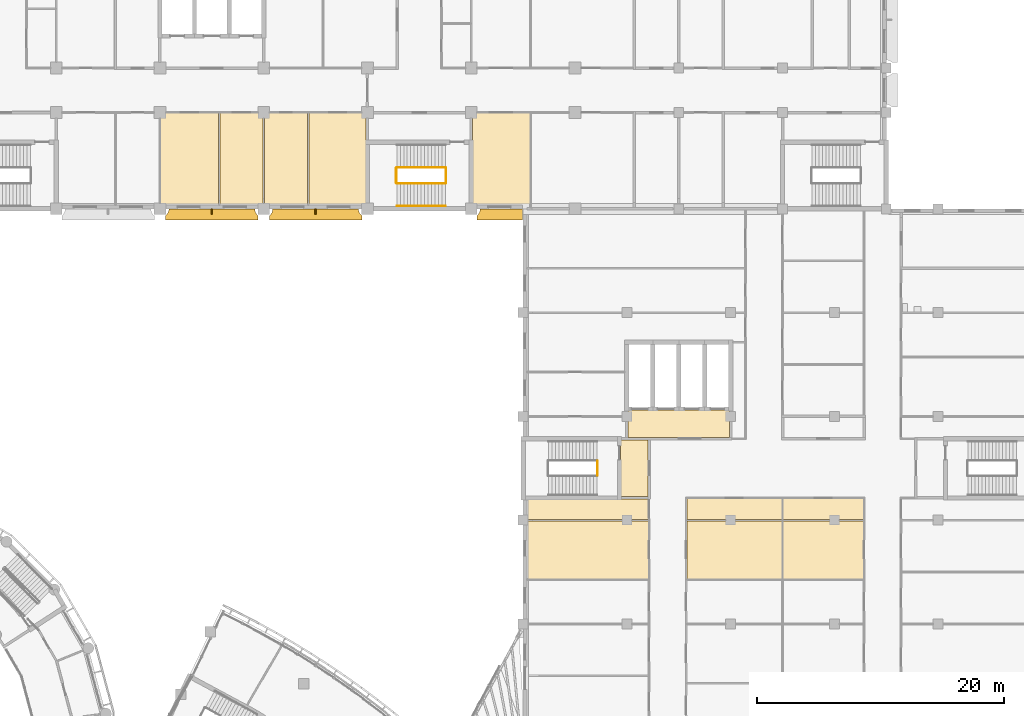
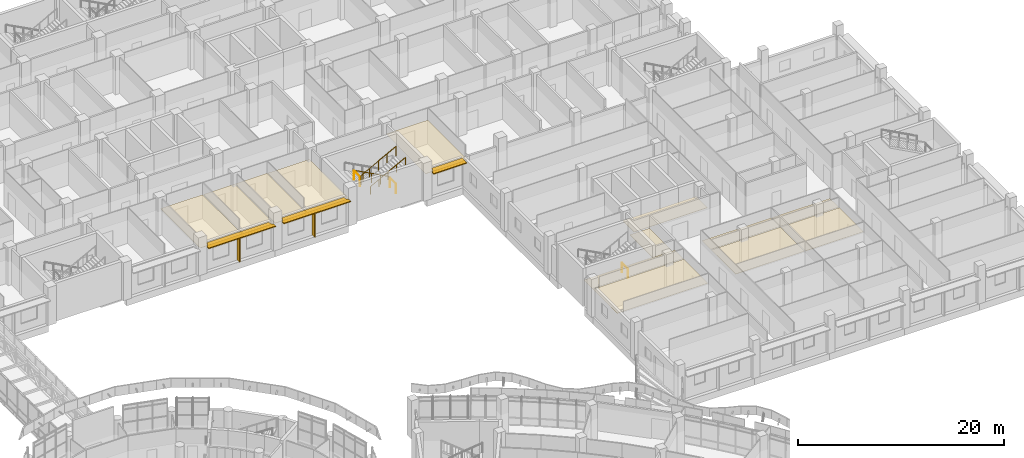
# One storey, part 129 of 136: 13 coverings, 6 railings, 5 shading devices.
"""IFC4 building model written with IfcOpenShell, lengths in metres."""

from ifc_helpers import new_model, si_unit, direction, frame, origin, origin_2d, place, context, subcontext, project, spatial, polyline, rectangle, circle, outline, extrude, material, layer, layer_set, material_profile, profile_set, type_object, element, save


model = new_model("IFC4")

# Units and contexts
model_context = context("Model", 3, precision=1e-05, world=origin(), true_north=direction((0.0, 1.0)))
body_context = subcontext(model_context, "Body", "Model", "MODEL_VIEW")
ifc_project = project(units=[si_unit("LENGTHUNIT", "METRE"), si_unit("AREAUNIT", "SQUARE_METRE"), si_unit("VOLUMEUNIT", "CUBIC_METRE"), si_unit("PLANEANGLEUNIT", "RADIAN"), si_unit("MASSUNIT", "GRAM", prefix="KILO")], contexts=[model_context])

# Site, building, storey
site_placement = place(None, origin())
site = spatial("IfcSite", under=ifc_project, at=site_placement, CompositionType="ELEMENT")
building_placement = place(site_placement, origin())
building = spatial("IfcBuilding", under=site, at=building_placement, Name="Bougainvillea Quay General Hospital", CompositionType="ELEMENT")
storey_placement = place(building_placement, frame((0.0, 0.0, 5.39990234375)))
storey = spatial("IfcBuildingStorey", under=building, at=storey_placement, Name="L01", CompositionType="ELEMENT", Elevation=5.39990234375)

# Railings
ifc_material_1 = material(Name="Stainless steel 304 balustrade", Category="steel")
railing_type_1 = type_object("IfcRailingType", Name="Stair guard 1100", PredefinedType="GUARDRAIL", material=ifc_material_1)
railing_1_placement = place(storey_placement, frame((169.824951171875, 97.175048828125, 0.0)))
element("IfcRailing", 1, at=railing_1_placement, inside=storey, type_object=railing_type_1, Name="L01 ST-T1 stair guard 4", PredefinedType="GUARDRAIL", context=body_context, shape_type="SweptSolid", body=[
    extrude(circle(Radius=0.02392578125, at=origin_2d()), frame((0.0, 0.0, 1.076171875), z_axis=(0.0, -1.0, 0.0), x_axis=(1.0, 0.0, 0.0)), (0.0, 0.0, 1.0), 1.150146484375),
    extrude(circle(Radius=0.02099609375, at=origin_2d()), origin(), (0.0, 0.0, 1.0), 1.052001953125),
    extrude(circle(Radius=0.02099609375, at=origin_2d()), frame((0.0, -1.150146484375, 0.0)), (0.0, 0.0, 1.0), 1.052001953125),
])
railing_2_placement = place(storey_placement, frame((157.5, 120.949951171875, 0.150146484375)))
element("IfcRailing", 2, at=railing_2_placement, inside=storey, type_object=railing_type_1, Name="L01 ST-B4 stair guard 1", PredefinedType="GUARDRAIL", context=body_context, shape_type="SweptSolid", body=[
    extrude(circle(Radius=0.02392578125, at=origin_2d()), frame((0.0, 0.0, 1.076171875), z_axis=(-0.881489763865, 0.0, 0.472203130232), x_axis=(0.0, -1.0, 0.0)), (0.0, 0.0, 1.0), 4.447021484375),
    extrude(circle(Radius=0.02099609375, at=origin_2d()), origin(), (0.0, 0.0, 1.0), 1.052001953125),
    extrude(circle(Radius=0.02099609375, at=origin_2d()), frame((-0.97998046875, 0.0, 0.52490234375)), (0.0, 0.0, 1.0), 1.052001953125),
    extrude(circle(Radius=0.02099609375, at=origin_2d()), frame((-1.9599609375, 0.0, 1.0498046875)), (0.0, 0.0, 1.0), 1.052001953125),
    extrude(circle(Radius=0.02099609375, at=origin_2d()), frame((-2.93994140625, 0.0, 1.574951171875)), (0.0, 0.0, 1.0), 1.052001953125),
    extrude(circle(Radius=0.02099609375, at=origin_2d()), frame((-3.919921875, 0.0, 2.099853515625)), (0.0, 0.0, 1.0), 1.052001953125),
])
railing_3_placement = place(storey_placement, frame((153.530029296875, 120.89990234375, 2.25)))
element("IfcRailing", 3, at=railing_3_placement, inside=storey, type_object=railing_type_1, Name="L01 ST-B4 stair guard 2", PredefinedType="GUARDRAIL", context=body_context, shape_type="SweptSolid", body=[
    extrude(circle(Radius=0.02392578125, at=origin_2d()), frame((0.0, 0.0, 1.076171875), z_axis=(0.0, -1.0, 0.0), x_axis=(1.0, 0.0, 0.0)), (0.0, 0.0, 1.0), 1.199951171875),
    extrude(circle(Radius=0.02099609375, at=origin_2d()), origin(), (0.0, 0.0, 1.0), 1.052001953125),
    extrude(circle(Radius=0.02099609375, at=origin_2d()), frame((0.0, -1.199951171875, 0.0)), (0.0, 0.0, 1.0), 1.052001953125),
])
railing_4_placement = place(storey_placement, frame((153.580078125, 119.64990234375, 2.400146484375)))
element("IfcRailing", 4, at=railing_4_placement, inside=storey, type_object=railing_type_1, Name="L01 ST-B4 stair guard 3", PredefinedType="GUARDRAIL", context=body_context, shape_type="SweptSolid", body=[
    extrude(circle(Radius=0.02392578125, at=origin_2d()), frame((0.0, 0.0, 1.076171875), z_axis=(0.881489763865, 0.0, 0.472203130232), x_axis=(0.0, 1.0, 0.0)), (0.0, 0.0, 1.0), 4.447021484375),
    extrude(circle(Radius=0.02099609375, at=origin_2d()), origin(), (0.0, 0.0, 1.0), 1.052001953125),
    extrude(circle(Radius=0.02099609375, at=origin_2d()), frame((0.97998046875, 0.0, 0.52490234375)), (0.0, 0.0, 1.0), 1.052001953125),
    extrude(circle(Radius=0.02099609375, at=origin_2d()), frame((1.9599609375, 0.0, 1.0498046875)), (0.0, 0.0, 1.0), 1.052001953125),
    extrude(circle(Radius=0.02099609375, at=origin_2d()), frame((2.93994140625, 0.0, 1.574951171875)), (0.0, 0.0, 1.0), 1.052001953125),
    extrude(circle(Radius=0.02099609375, at=origin_2d()), frame((3.919921875, 0.0, 2.099853515625)), (0.0, 0.0, 1.0), 1.052001953125),
])
railing_5_placement = place(storey_placement, frame((157.550048828125, 120.89990234375, 0.0)))
element("IfcRailing", 5, at=railing_5_placement, inside=storey, type_object=railing_type_1, Name="L01 ST-B4 stair guard 4", PredefinedType="GUARDRAIL", context=body_context, shape_type="SweptSolid", body=[
    extrude(circle(Radius=0.02392578125, at=origin_2d()), frame((0.0, 0.0, 1.076171875), z_axis=(0.0, -1.0, 0.0), x_axis=(1.0, 0.0, 0.0)), (0.0, 0.0, 1.0), 1.199951171875),
    extrude(circle(Radius=0.02099609375, at=origin_2d()), origin(), (0.0, 0.0, 1.0), 1.052001953125),
    extrude(circle(Radius=0.02099609375, at=origin_2d()), frame((0.0, -1.199951171875, 0.0)), (0.0, 0.0, 1.0), 1.052001953125),
])
ifc_material_2 = material(Name="Stainless steel 304 handrail", Category="steel")
railing_type_2 = type_object("IfcRailingType", Name="Stair handrail 900", PredefinedType="HANDRAIL", material=ifc_material_2)
railing_6_placement = place(storey_placement, frame((153.580078125, 117.824951171875, 2.400146484375)))
element("IfcRailing", 6, at=railing_6_placement, inside=storey, type_object=railing_type_2, Name="L01 ST-B4 stair handrail 2", PredefinedType="HANDRAIL", context=body_context, shape_type="SweptSolid", body=[
    extrude(circle(Radius=0.02392578125, at=origin_2d()), frame((0.0, 0.0, 0.8759765625), z_axis=(0.881489763865, 0.0, 0.472203130232), x_axis=(0.0, 1.0, 0.0)), (0.0, 0.0, 1.0), 4.447021484375),
    extrude(circle(Radius=0.02099609375, at=origin_2d()), origin(), (0.0, 0.0, 1.0), 0.851806640625),
    extrude(circle(Radius=0.02099609375, at=origin_2d()), frame((0.97998046875, 0.0, 0.52490234375)), (0.0, 0.0, 1.0), 0.851806640625),
    extrude(circle(Radius=0.02099609375, at=origin_2d()), frame((1.9599609375, 0.0, 1.0498046875)), (0.0, 0.0, 1.0), 0.851806640625),
    extrude(circle(Radius=0.02099609375, at=origin_2d()), frame((2.93994140625, 0.0, 1.574951171875)), (0.0, 0.0, 1.0), 0.851806640625),
    extrude(circle(Radius=0.02099609375, at=origin_2d()), frame((3.919921875, 0.0, 2.099853515625)), (0.0, 0.0, 1.0), 0.851806640625),
])

# Shading devices
ifc_material_3 = material(Name="Powder-coated aluminium canopy soffit and fascia, white", Category="aluminium")
ifc_layer_1 = layer(ifc_material_3, 0.10009765625)
ifc_layer_set_1 = layer_set([ifc_layer_1], Name="Powder-coated aluminium canopy soffit and fascia, white")
shading_device_type_1 = type_object("IfcShadingDeviceType", Name="Sunshade 100", PredefinedType="USERDEFINED", material=ifc_layer_set_1)
shading_device_1_placement = place(storey_placement, frame((0.0, 0.0, 3.150146484375)))
element("IfcShadingDevice", 7, at=shading_device_1_placement, inside=storey, type_object=shading_device_type_1, Name="Sunshade 0", ObjectType="Sunshade", PredefinedType="USERDEFINED", context=body_context, shape_type="SweptSolid", body=[
    extrude(outline(polyline([(142.074951171875, 117.60009765625), (135.125, 117.60009765625), (135.111083984375, 117.45849609375), (135.06982421875, 117.322509765625), (135.039306640625, 117.25830078125), (134.96044921875, 117.14013671875), (134.85009765625, 117.0322265625), (134.85009765625, 116.699951171875), (142.35009765625, 116.699951171875), (142.35009765625, 117.0322265625), (142.239501953125, 117.14013671875), (142.16064453125, 117.25830078125), (142.130126953125, 117.322509765625), (142.0888671875, 117.45849609375), (142.074951171875, 117.60009765625)])), origin(), (0.0, 0.0, 1.0), 0.099853515625),
])
shading_device_2_placement = place(storey_placement, frame((0.0, 0.0, 3.150146484375)))
element("IfcShadingDevice", 8, at=shading_device_2_placement, inside=storey, type_object=shading_device_type_1, Name="Sunshade 0", ObjectType="Sunshade", PredefinedType="USERDEFINED", context=body_context, shape_type="SweptSolid", body=[
    extrude(outline(polyline([(150.47509765625, 117.60009765625), (143.52490234375, 117.60009765625), (143.510986328125, 117.45849609375), (143.4697265625, 117.322509765625), (143.439453125, 117.25830078125), (143.3603515625, 117.14013671875), (143.25, 117.0322265625), (143.25, 116.699951171875), (150.75, 116.699951171875), (150.75, 117.0322265625), (150.6396484375, 117.14013671875), (150.560546875, 117.25830078125), (150.5302734375, 117.322509765625), (150.489013671875, 117.45849609375), (150.47509765625, 117.60009765625)])), origin(), (0.0, 0.0, 1.0), 0.099853515625),
])
shading_device_3_placement = place(storey_placement, frame((0.0, 0.0, 3.150146484375)))
element("IfcShadingDevice", 9, at=shading_device_3_placement, inside=storey, type_object=shading_device_type_1, Name="Sunshade 0", ObjectType="Sunshade", PredefinedType="USERDEFINED", context=body_context, shape_type="SweptSolid", body=[
    extrude(outline(polyline([(163.739990234375, 117.60009765625), (160.324951171875, 117.60009765625), (160.31103515625, 117.45849609375), (160.269775390625, 117.322509765625), (160.239501953125, 117.25830078125), (160.160400390625, 117.14013671875), (160.050048828125, 117.0322265625), (160.050048828125, 116.699951171875), (163.739990234375, 116.699951171875), (163.739990234375, 117.60009765625)])), origin(), (0.0, 0.0, 1.0), 0.099853515625),
])

# Coverings
ifc_material_4 = material(Name="Mineral fibre ceiling tile")
ifc_layer_2 = layer(ifc_material_4, 0.030029296875)
ifc_layer_set_2 = layer_set([ifc_layer_2], Name="Mineral fibre ceiling tile")
covering_type = type_object("IfcCoveringType", Name="Suspended ceiling mineral fibre tile", PredefinedType="CEILING", material=ifc_layer_set_2)
covering_1_placement = place(storey_placement, frame((0.0, 0.0, 2.7001953125)))
element("IfcCovering", 10, at=covering_1_placement, inside=storey, type_object=covering_type, Name="Ceiling Lift Lobby LB-T1", PredefinedType="CEILING", context=body_context, shape_type="SweptSolid", body=[
    extrude(outline(polyline([(180.5, 101.300048828125), (172.300048828125, 101.300048828125), (172.300048828125, 99.10009765625), (180.5, 99.10009765625), (180.5, 101.300048828125)])), origin(), (0.0, 0.0, 1.0), 0.02978515625),
])
covering_2_placement = place(storey_placement, frame((0.0, 0.0, 2.7001953125)))
element("IfcCovering", 11, at=covering_2_placement, inside=storey, type_object=covering_type, Name="Ceiling Smoke-proof Stair Vestibule ST-T1", PredefinedType="CEILING", context=body_context, shape_type="SweptSolid", body=[
    extrude(outline(polyline([(171.699951171875, 98.89990234375), (171.699951171875, 94.300048828125), (173.89990234375, 94.300048828125), (173.89990234375, 98.89990234375), (171.699951171875, 98.89990234375)])), origin(), (0.0, 0.0, 1.0), 0.02978515625),
])
covering_3_placement = place(storey_placement, frame((0.0, 0.0, 3.0)))
element("IfcCovering", 12, at=covering_3_placement, inside=storey, type_object=covering_type, Name="Ceiling Operating Theatre 01", PredefinedType="CEILING", context=body_context, shape_type="SweptSolid", body=[
    extrude(outline(polyline([(163.800048828125, 92.449951171875), (173.949951171875, 92.449951171875), (173.949951171875, 94.10009765625), (171.5, 94.10009765625), (171.5, 94.14990234375), (163.800048828125, 94.14990234375), (163.800048828125, 92.449951171875)])), origin(), (0.0, 0.0, 1.0), 0.030029296875),
])
covering_4_placement = place(storey_placement, frame((0.0, 0.0, 3.0)))
element("IfcCovering", 13, at=covering_4_placement, inside=storey, type_object=covering_type, Name="Ceiling Operating Theatre 02", PredefinedType="CEILING", context=body_context, shape_type="SweptSolid", body=[
    extrude(outline(polyline([(163.800048828125, 87.64990234375), (173.949951171875, 87.64990234375), (173.949951171875, 92.35009765625), (163.800048828125, 92.35009765625), (163.800048828125, 87.64990234375)])), origin(), (0.0, 0.0, 1.0), 0.030029296875),
])
covering_5_placement = place(storey_placement, frame((0.0, 0.0, 3.0)))
element("IfcCovering", 14, at=covering_5_placement, inside=storey, type_object=covering_type, Name="Ceiling Operating Theatre 05", PredefinedType="CEILING", context=body_context, shape_type="SweptSolid", body=[
    extrude(outline(polyline([(184.75, 92.449951171875), (184.75, 94.14990234375), (177.050048828125, 94.14990234375), (177.050048828125, 92.449951171875), (184.75, 92.449951171875)])), origin(), (0.0, 0.0, 1.0), 0.030029296875),
])
covering_6_placement = place(storey_placement, frame((0.0, 0.0, 3.0)))
element("IfcCovering", 15, at=covering_6_placement, inside=storey, type_object=covering_type, Name="Ceiling Operating Theatre 06", PredefinedType="CEILING", context=body_context, shape_type="SweptSolid", body=[
    extrude(outline(polyline([(184.75, 87.64990234375), (184.75, 92.35009765625), (177.050048828125, 92.35009765625), (177.050048828125, 87.64990234375), (184.75, 87.64990234375)])), origin(), (0.0, 0.0, 1.0), 0.030029296875),
])
covering_7_placement = place(storey_placement, frame((0.0, 0.0, 3.0)))
element("IfcCovering", 16, at=covering_7_placement, inside=storey, type_object=covering_type, Name="Ceiling Operating Theatre 10", PredefinedType="CEILING", context=body_context, shape_type="SweptSolid", body=[
    extrude(outline(polyline([(191.35009765625, 94.14990234375), (184.85009765625, 94.14990234375), (184.85009765625, 92.449951171875), (191.35009765625, 92.449951171875), (191.35009765625, 94.14990234375)])), origin(), (0.0, 0.0, 1.0), 0.030029296875),
])
covering_8_placement = place(storey_placement, frame((0.0, 0.0, 3.0)))
element("IfcCovering", 17, at=covering_8_placement, inside=storey, type_object=covering_type, Name="Ceiling Operating Theatre 11", PredefinedType="CEILING", context=body_context, shape_type="SweptSolid", body=[
    extrude(outline(polyline([(191.35009765625, 92.35009765625), (184.85009765625, 92.35009765625), (184.85009765625, 87.64990234375), (191.35009765625, 87.64990234375), (191.35009765625, 92.35009765625)])), origin(), (0.0, 0.0, 1.0), 0.030029296875),
])
covering_9_placement = place(storey_placement, frame((0.0, 0.0, 2.800048828125)))
element("IfcCovering", 18, at=covering_9_placement, inside=storey, type_object=covering_type, Name="Ceiling Intensive Care Isolation Room 02", PredefinedType="CEILING", context=body_context, shape_type="SweptSolid", body=[
    extrude(outline(polyline([(139.14990234375, 117.64794921875), (139.14990234375, 125.35009765625), (134.449951171875, 125.35009765625), (134.449951171875, 117.64794921875), (139.14990234375, 117.64794921875)])), origin(), (0.0, 0.0, 1.0), 0.030029296875),
])
covering_10_placement = place(storey_placement, frame((0.0, 0.0, 2.800048828125)))
element("IfcCovering", 19, at=covering_10_placement, inside=storey, type_object=covering_type, Name="Ceiling Intensive Care High Dependency Bay Room 01", PredefinedType="CEILING", context=body_context, shape_type="SweptSolid", body=[
    extrude(outline(polyline([(139.25, 117.64794921875), (142.75, 117.64794921875), (142.75, 125.35009765625), (139.25, 125.35009765625), (139.25, 117.64794921875)])), origin(), (0.0, 0.0, 1.0), 0.030029296875),
])
covering_11_placement = place(storey_placement, frame((0.0, 0.0, 2.800048828125)))
element("IfcCovering", 20, at=covering_11_placement, inside=storey, type_object=covering_type, Name="Ceiling Intensive Care Medication Room", PredefinedType="CEILING", context=body_context, shape_type="SweptSolid", body=[
    extrude(outline(polyline([(142.85009765625, 117.64794921875), (146.35009765625, 117.64794921875), (146.35009765625, 125.35009765625), (142.85009765625, 125.35009765625), (142.85009765625, 117.64794921875)])), origin(), (0.0, 0.0, 1.0), 0.030029296875),
])
covering_12_placement = place(storey_placement, frame((0.0, 0.0, 2.800048828125)))
element("IfcCovering", 21, at=covering_12_placement, inside=storey, type_object=covering_type, Name="Ceiling Intensive Care High Dependency Bay Room 02", PredefinedType="CEILING", context=body_context, shape_type="SweptSolid", body=[
    extrude(outline(polyline([(151.10009765625, 125.35009765625), (146.449951171875, 125.35009765625), (146.449951171875, 117.64794921875), (151.14990234375, 117.64794921875), (151.14990234375, 122.89990234375), (151.10009765625, 122.89990234375), (151.10009765625, 125.35009765625)])), origin(), (0.0, 0.0, 1.0), 0.030029296875),
])
covering_13_placement = place(storey_placement, frame((0.0, 0.0, 2.800048828125)))
element("IfcCovering", 22, at=covering_13_placement, inside=storey, type_object=covering_type, Name="Ceiling Theatre Link Lobby", PredefinedType="CEILING", context=body_context, shape_type="SweptSolid", body=[
    extrude(outline(polyline([(159.60009765625, 117.597900390625), (163.800048828125, 117.597900390625), (163.800048828125, 117.699951171875), (164.35009765625, 117.699951171875), (164.35009765625, 125.35009765625), (159.699951171875, 125.35009765625), (159.699951171875, 122.89990234375), (159.64990234375, 122.89990234375), (159.64990234375, 117.60009765625), (159.60009765625, 117.60009765625), (159.60009765625, 117.597900390625)])), origin(), (0.0, 0.0, 1.0), 0.030029296875),
])

# Shading devices
ifc_material_5 = material(Name="Powder-coated aluminium fin, white", Category="aluminium")
ifc_material_profile = material_profile(ifc_material_5, rectangle(XDim=0.449951171875, YDim=0.10009765625, at=origin_2d()))
ifc_profile_set = profile_set([ifc_material_profile], Name="Powder-coated aluminium fin, white")
shading_device_type_2 = type_object("IfcShadingDeviceType", Name="Vertical fin 450x100", PredefinedType="USERDEFINED", material=ifc_profile_set)
for number, where, z_axis, x_axis, name in (
    (23, (138.60009765625, 117.375, 0.0), (0.0, 0.0, 1.0), (0.0, -1.0, 0.0), "Vertical fin 04d 1"),
    (24, (147.0, 117.375, 0.0), (0.0, 0.0, 1.0), (0.0, -1.0, 0.0), "Vertical fin 04e 1"),
):
    element("IfcShadingDevice", number, at=place(storey_placement, frame(where, z_axis=z_axis, x_axis=x_axis)), inside=storey, type_object=shading_device_type_2, Name=name, ObjectType="Vertical fin", PredefinedType="USERDEFINED", context=body_context, shape_type="SweptSolid", body=[
        extrude(rectangle(XDim=0.449951171875, YDim=0.10009765625, at=origin_2d()), origin(), (0.0, 0.0, 1.0), 3.150146484375),
    ])

save(model, "model.ifc")
